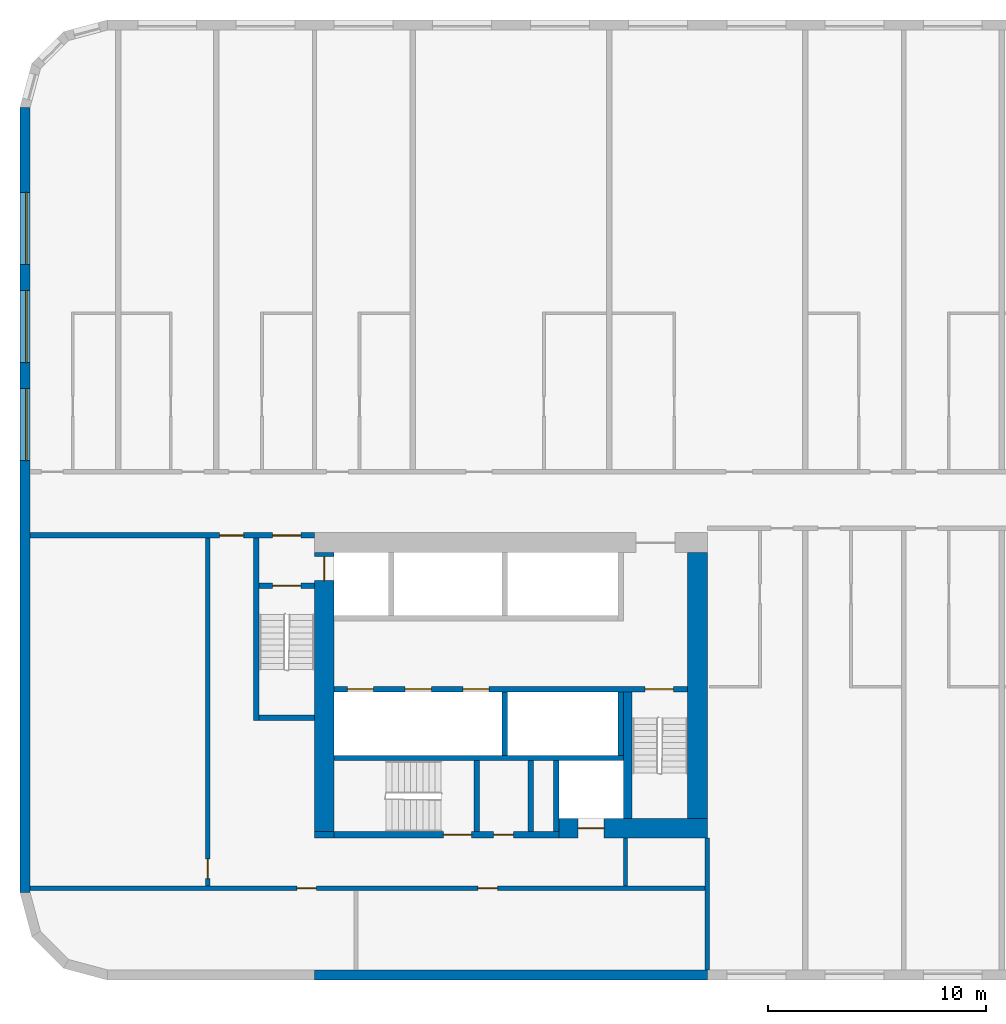
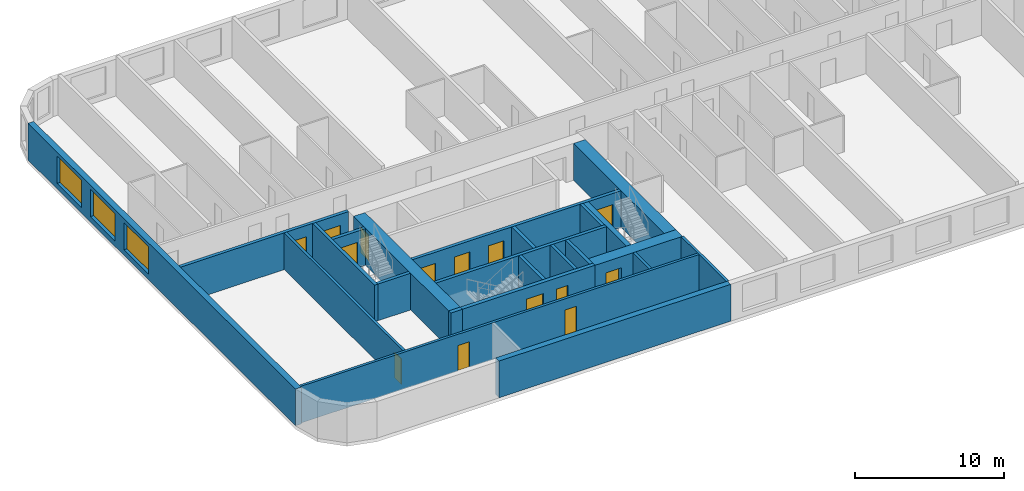
# One storey, part 2 of 12: 23 walls, 14 doors, 3 windows, 17 openings.
"""IFC4 building model written with IfcOpenShell, lengths in metres."""

import ifcopenshell
import ifcopenshell.guid

model = None  # the IFC model being written
_history = None  # IfcOwnerHistory: only IFC2X3 demands one
_inside = {}  # id of a spatial element -> (the spatial element, [elements in it])
_under = {}  # id of a project, library or spatial element -> (it, [spatial elements below it])
_declared = {}  # id of a project -> (the project, [libraries it declares])
_typed = {}  # id of a type object -> (the type object, [elements of that type])
_made_of = {}  # id of a material, layer set ... -> (it, [elements and type objects made of it])


def new_model(schema):
    """Start an empty IFC model of exactly this schema.

    Asked for "IFC4X3", IfcOpenShell would pick the latest addendum, in which some entities
    have other attributes; the version numbers below select the first issue.
    IFC2X3 requires an IfcOwnerHistory on every rooted entity: one is made here for all.
    """
    global model, _history
    if schema == "IFC4X3":
        model = ifcopenshell.file(schema_version=(4, 3, 0, 0))
    else:
        model = ifcopenshell.file(schema=schema)
    _inside.clear()
    _under.clear()
    _declared.clear()
    _typed.clear()
    _made_of.clear()
    _history = None
    if model.schema == "IFC2X3":
        org = make("IfcOrganization", Name="unknown")
        user = make(
            "IfcPersonAndOrganization",
            ThePerson=make("IfcPerson", FamilyName="unknown"),
            TheOrganization=org,
        )
        app = make(
            "IfcApplication",
            ApplicationDeveloper=org,
            Version="unknown",
            ApplicationFullName="unknown",
            ApplicationIdentifier="unknown",
        )
        _history = make(
            "IfcOwnerHistory",
            OwningUser=user,
            OwningApplication=app,
            ChangeAction="ADDED",
            CreationDate=0,
        )
    return model


def make(cls, **values):
    """One entity of the class cls with the attributes given. An attribute that is None is left unset."""
    return model.create_entity(
        cls, **{name: value for name, value in values.items() if value is not None}
    )


def rooted(cls, **values):
    """An entity with a GlobalId (a new one), such as an element, a storey or a relation."""
    return make(cls, GlobalId=ifcopenshell.guid.new(), OwnerHistory=_history, **values)


def si_unit(unit_type, name, prefix=None):
    """IfcSIUnit, for example si_unit("LENGTHUNIT", "METRE", prefix="MILLI")."""
    return make("IfcSIUnit", UnitType=unit_type, Prefix=prefix, Name=name)


def assignment(units):
    """IfcUnitAssignment: the units of a project."""
    return None if units is None else make("IfcUnitAssignment", Units=units)


def point(xyz):
    """IfcCartesianPoint."""
    return None if xyz is None else make("IfcCartesianPoint", Coordinates=xyz)


def direction(xyz):
    """IfcDirection."""
    return None if xyz is None else make("IfcDirection", DirectionRatios=xyz)


def frame(location, z_axis=None, x_axis=None):
    """IfcAxis2Placement3D, a coordinate frame: its origin and axes. An axis left out is left unset."""
    return make(
        "IfcAxis2Placement3D",
        Location=point(location),
        Axis=direction(z_axis),
        RefDirection=direction(x_axis),
    )


def frame_2d(location, x_axis=None):
    """IfcAxis2Placement2D, a coordinate frame in the plane: its origin and x axis."""
    return make(
        "IfcAxis2Placement2D", Location=point(location), RefDirection=direction(x_axis)
    )


def origin():
    """The frame at (0, 0, 0) with its axes left unset."""
    return frame((0.0, 0.0, 0.0))


def place(relative_to, where):
    """IfcLocalPlacement: puts the frame where relative to a parent placement (None: the world)."""
    return make(
        "IfcLocalPlacement", PlacementRelTo=relative_to, RelativePlacement=where
    )


def context(
    kind, dimensions, precision=None, world=None, true_north=None, identifier=None
):
    """IfcGeometricRepresentationContext, for example the 3D "Model" context."""
    return make(
        "IfcGeometricRepresentationContext",
        ContextIdentifier=identifier,
        ContextType=kind,
        CoordinateSpaceDimension=dimensions,
        Precision=precision,
        WorldCoordinateSystem=world,
        TrueNorth=true_north,
    )


def subcontext(parent, identifier, kind, view, scale=None):
    """IfcGeometricRepresentationSubContext, for example "Body" below "Model"."""
    return make(
        "IfcGeometricRepresentationSubContext",
        ContextIdentifier=identifier,
        ContextType=kind,
        ParentContext=parent,
        TargetScale=scale,
        TargetView=view,
    )


def project(units=None, contexts=None):
    """IfcProject with its units and contexts."""
    return rooted(
        "IfcProject",
        Name="project",
        RepresentationContexts=contexts,
        UnitsInContext=assignment(units),
    )


def spatial(cls, under=None, at=None, **own):
    """A site, building, storey or space (cls), placed at a placement, below another one or the project."""
    s = rooted(cls, ObjectPlacement=at, **own)
    if under is not None:
        _under.setdefault(under.id(), (under, []))[1].append(s)
    return s


def profile(cls, at=None, kind="AREA", **sizes):
    """A parametric profile (cls). Its sizes go by their IFC names, for example OverallWidth=200.0."""
    return make(cls, ProfileType=kind, Position=at, **sizes)


def rectangle(**sizes):
    """IfcRectangleProfileDef."""
    return profile("IfcRectangleProfileDef", **sizes)


def extrude(swept, where, along, depth):
    """IfcExtrudedAreaSolid: the profile swept, set in the frame where, extruded along a direction by depth."""
    return make(
        "IfcExtrudedAreaSolid",
        SweptArea=swept,
        Position=where,
        ExtrudedDirection=direction(along),
        Depth=depth,
    )


def shape(context_of_items, identifier, shape_type, items):
    """IfcShapeRepresentation: the items that make up one representation, for example the "Body"."""
    return make(
        "IfcShapeRepresentation",
        ContextOfItems=context_of_items,
        RepresentationIdentifier=identifier,
        RepresentationType=shape_type,
        Items=items,
    )


def material(Name=None, Category=None):
    """IfcMaterial."""
    return make("IfcMaterial", Name=Name, Category=Category)


def layer(
    of_material, thickness, ventilated=None, Name=None, Category=None, Priority=None
):
    """IfcMaterialLayer: one layer of a wall or slab, of a material (None: an air gap)."""
    return make(
        "IfcMaterialLayer",
        Material=of_material,
        LayerThickness=thickness,
        IsVentilated=ventilated,
        Name=Name,
        Category=Category,
        Priority=Priority,
    )


def layer_set(layers, Name=None):
    """IfcMaterialLayerSet."""
    return make("IfcMaterialLayerSet", MaterialLayers=layers, LayerSetName=Name)


def made_of(thing, what):
    """Note that an element or type object is made of a material, layer set ...; save() writes the relation."""
    if what is not None:
        _made_of.setdefault(what.id(), (what, []))[1].append(thing)
    return thing


def type_object(cls, material=None, **own):
    """A type object (cls), such as IfcWallType, which elements share."""
    return made_of(rooted(cls, **own), material)


def element(
    cls,
    number,
    at=None,
    inside=None,
    cuts=None,
    type_object=None,
    material=None,
    context=None,
    identifier="Body",
    shape_type=None,
    held_by="IfcProductDefinitionShape",
    body=None,
    shapes=None,
    **own,
):
    """One element of the class cls, such as IfcWall. Its Tag is "e" and its number.

    at: its placement. inside: the storey or other place that contains it. cuts: it is an
    opening in that element (IfcRelVoidsElement). A single representation is given by context,
    identifier, shape_type and body (its items); several are given by shapes. held_by: the class
    of the entity that holds the representations. save() writes the other relations.
    """
    e = rooted(cls, Tag="e%d" % number, ObjectPlacement=at, **own)
    if body is not None:
        shapes = [shape(context, identifier, shape_type, body)]
    if shapes is not None:
        e.Representation = make(held_by, Representations=shapes)
    if inside is not None:
        _inside.setdefault(inside.id(), (inside, []))[1].append(e)
    if cuts is not None:
        rooted(
            "IfcRelVoidsElement", RelatingBuildingElement=cuts, RelatedOpeningElement=e
        )
    if type_object is not None:
        _typed.setdefault(type_object.id(), (type_object, []))[1].append(e)
    return made_of(e, material)


def fill(opening, filler):
    """IfcRelFillsElement: the door or window that sits in an opening."""
    return rooted(
        "IfcRelFillsElement",
        RelatingOpeningElement=opening,
        RelatedBuildingElement=filler,
    )


def aggregate(whole, parts):
    """IfcRelAggregates: a whole, such as a stair, and the parts it consists of."""
    return rooted("IfcRelAggregates", RelatingObject=whole, RelatedObjects=parts)


def save(model, path):
    """Write the relations noted so far, then the file.

    IfcRelAggregates (storeys below a building ...), IfcRelContainedInSpatialStructure (elements
    in a storey), IfcRelDefinesByType, IfcRelAssociatesMaterial and IfcRelDeclares: one each for
    every whole, place, type object, material and project.
    """
    for whole, parts in _under.values():
        aggregate(whole, parts)
    for where, things in _inside.values():
        rooted(
            "IfcRelContainedInSpatialStructure",
            RelatedElements=things,
            RelatingStructure=where,
        )
    for kind, things in _typed.values():
        rooted("IfcRelDefinesByType", RelatedObjects=things, RelatingType=kind)
    for what, things in _made_of.values():
        rooted("IfcRelAssociatesMaterial", RelatedObjects=things, RelatingMaterial=what)
    for by, libraries in _declared.values():
        rooted("IfcRelDeclares", RelatingContext=by, RelatedDefinitions=libraries)
    model.write(path)


model = new_model("IFC4")

# Units and contexts
model_context = context("Model", 3, precision=1e-05, world=origin(), true_north=direction((0.0, 1.0)))
body_context = subcontext(model_context, "Body", "Model", "MODEL_VIEW")
ifc_project = project(units=[si_unit("LENGTHUNIT", "METRE"), si_unit("AREAUNIT", "SQUARE_METRE"), si_unit("VOLUMEUNIT", "CUBIC_METRE"), si_unit("PLANEANGLEUNIT", "RADIAN"), si_unit("MASSUNIT", "GRAM", prefix="KILO")], contexts=[model_context])

# Site, building, storey
site_placement = place(None, origin())
site = spatial("IfcSite", under=ifc_project, at=site_placement, CompositionType="ELEMENT")
building_placement = place(site_placement, origin())
building = spatial("IfcBuilding", under=site, at=building_placement, Name="Kajstack Hotel Tower", CompositionType="ELEMENT")
storey_placement = place(building_placement, frame((0.0, 0.0, 76.5)))
storey = spatial("IfcBuildingStorey", under=building, at=storey_placement, Name="L14", CompositionType="ELEMENT", Elevation=76.5)

# Wall, opening, door
ifc_material_1 = material(Name="Concrete C60/75", Category="concrete")
ifc_layer_1 = layer(ifc_material_1, 0.89990234375)
ifc_layer_set_1 = layer_set([ifc_layer_1], Name="Core wall 900")
wall_type_1 = type_object("IfcWallType", Name="Core wall 900", PredefinedType="SHEAR", material=ifc_layer_set_1)
wall_1_placement = place(storey_placement, frame((-20.300048828125, -15.050048828125, 0.0), z_axis=(0.0, 0.0, 1.0), x_axis=(1.0, 0.0, 0.0)))
wall_1 = element("IfcWall", 1, at=wall_1_placement, inside=storey, type_object=wall_type_1, Name="Core wall W RS", PredefinedType="SHEAR", context=body_context, shape_type="SweptSolid", body=[
    extrude(rectangle(XDim=6.800048828125, YDim=0.89990234375, at=frame_2d((3.39990234375, 0.0))), origin(), (0.0, 0.0, 1.0), 3.02001953125),
])
opening_1_placement = place(wall_1_placement, frame((0.875, 0.0, 0.0)))
opening_1 = element("IfcOpeningElement", 2, at=opening_1_placement, cuts=wall_1, Name="Opening LD-SV1", PredefinedType="OPENING", context=body_context, shape_type="SweptSolid", body=[
    extrude(rectangle(XDim=1.199951171875, YDim=2.10009765625, at=frame_2d((0.60009765625, 1.050048828125))), frame((0.0, 0.4599609375, 0.0), z_axis=(0.0, -1.0, 0.0), x_axis=(1.0, 0.0, 0.0)), (0.0, 0.0, 1.0), 0.919921875),
])
ifc_material_2 = material(Name="Stainless steel", Category="steel")
door_type_1 = type_object("IfcDoorType", Name="Lift landing door 1200", OperationType="SLIDING_TO_LEFT", PredefinedType="DOOR", material=ifc_material_2)
door_1_placement = place(opening_1_placement, origin())
door_1 = element("IfcDoor", 3, at=door_1_placement, inside=storey, type_object=door_type_1, Name="Landing door SV1", OperationType="SLIDING_TO_LEFT", OverallHeight=2.10009765625, OverallWidth=1.199951171875, PredefinedType="DOOR", context=body_context, shape_type="SweptSolid", body=[
    extrude(rectangle(XDim=1.199951171875, YDim=2.10009765625, at=frame_2d((0.60009765625, 1.050048828125))), frame((0.0, 0.02490234375, 0.0), z_axis=(0.0, -1.0, 0.0), x_axis=(1.0, 0.0, 0.0)), (0.0, 0.0, 1.0), 0.050048828125),
])
fill(opening_1, door_1)

# Wall
wall_2_placement = place(storey_placement, frame((-31.5, -15.35009765625, 0.0), z_axis=(0.0, 0.0, 1.0), x_axis=(1.0, 0.0, 0.0)))
element("IfcWall", 4, at=wall_2_placement, inside=storey, type_object=wall_type_1, Name="Core wall W RSW", PredefinedType="SHEAR", context=body_context, shape_type="SweptSolid", body=[
    extrude(rectangle(XDim=0.89990234375, YDim=0.300048828125, at=frame_2d((0.449951171875, 0.0))), origin(), (0.0, 0.0, 1.0), 3.02001953125),
])

# Wall, opening, door
wall_3_placement = place(storey_placement, frame((-31.050048828125, -15.199951171875, 0.0), z_axis=(0.0, 0.0, 1.0), x_axis=(0.0, 1.0, 0.0)))
wall_3 = element("IfcWall", 5, at=wall_3_placement, inside=storey, type_object=wall_type_1, Name="Core wall W RW", PredefinedType="SHEAR", context=body_context, shape_type="SweptSolid", body=[
    extrude(rectangle(XDim=12.800048828125, YDim=0.89990234375, at=frame_2d((6.39990234375, 0.0))), origin(), (0.0, 0.0, 1.0), 3.02001953125),
])
opening_2_placement = place(wall_3_placement, frame((11.5, 0.0, 0.0)))
opening_2 = element("IfcOpeningElement", 6, at=opening_2_placement, cuts=wall_3, Name="Opening LD-FF1", PredefinedType="OPENING", context=body_context, shape_type="SweptSolid", body=[
    extrude(rectangle(XDim=1.10009765625, YDim=2.10009765625, at=frame_2d((0.550048828125, 1.050048828125))), frame((0.0, 0.4599609375, 0.0), z_axis=(0.0, -1.0, 0.0), x_axis=(1.0, 0.0, 0.0)), (0.0, 0.0, 1.0), 0.919921875),
])
door_type_2 = type_object("IfcDoorType", Name="Fire-fighting lift landing door 1100", OperationType="SLIDING_TO_LEFT", PredefinedType="DOOR", material=ifc_material_2)
door_2_placement = place(opening_2_placement, origin())
door_2 = element("IfcDoor", 7, at=door_2_placement, inside=storey, type_object=door_type_2, Name="Landing door FF1", OperationType="SLIDING_TO_RIGHT", OverallHeight=2.10009765625, OverallWidth=1.10009765625, PredefinedType="DOOR", context=body_context, shape_type="SweptSolid", body=[
    extrude(rectangle(XDim=1.10009765625, YDim=2.10009765625, at=frame_2d((0.550048828125, 1.050048828125))), frame((0.0, 0.02490234375, 0.0), z_axis=(0.0, -1.0, 0.0), x_axis=(1.0, 0.0, 0.0)), (0.0, 0.0, 1.0), 0.050048828125),
])
fill(opening_2, door_2)

# Walls
wall_4_placement = place(storey_placement, frame((-13.949951171875, -14.60009765625, 0.0), z_axis=(0.0, 0.0, 1.0), x_axis=(0.0, 1.0, 0.0)))
element("IfcWall", 8, at=wall_4_placement, inside=storey, type_object=wall_type_1, Name="Core wall W RE", PredefinedType="SHEAR", context=body_context, shape_type="SweptSolid", body=[
    extrude(rectangle(XDim=12.2001953125, YDim=0.89990234375, at=frame_2d((6.10009765625, 0.0))), origin(), (0.0, 0.0, 1.0), 3.02001953125),
])
ifc_material_3 = material(Name="Twin-frame gypsum board on steel studs, mineral wool", Category="steel")
ifc_layer_2 = layer(ifc_material_3, 0.199951171875)
ifc_layer_set_2 = layer_set([ifc_layer_2], Name="Demising wall 200")
wall_type_2 = type_object("IfcWallType", Name="Demising wall 200", PredefinedType="PARTITIONING", material=ifc_layer_set_2)
wall_5_placement = place(storey_placement, frame((-13.5, -21.550048828125, 0.0), z_axis=(0.0, 0.0, 1.0), x_axis=(0.0, 1.0, 0.0)))
element("IfcWall", 9, at=wall_5_placement, inside=storey, type_object=wall_type_2, Name="G-wall-L14-002", PredefinedType="PARTITIONING", context=body_context, shape_type="SweptSolid", body=[
    extrude(rectangle(XDim=6.050048828125, YDim=0.199951171875, at=frame_2d((3.02490234375, 0.0))), origin(), (0.0, 0.0, 1.0), 3.02001953125),
])
ifc_material_4 = material(Name="Concrete C40/50", Category="concrete")
ifc_layer_3 = layer(ifc_material_4, 0.449951171875)
ifc_layer_set_3 = layer_set([ifc_layer_3], Name="EW-CORE")
wall_type_3 = type_object("IfcWallType", Name="EW-CORE", PredefinedType="SOLIDWALL", material=ifc_layer_set_3)
wall_6_placement = place(storey_placement, frame((-31.5, -21.77490234375, 0.0), z_axis=(0.0, 0.0, 1.0), x_axis=(1.0, 0.0, 0.0)))
element("IfcWall", 10, at=wall_6_placement, inside=storey, type_object=wall_type_3, Name="E-wall-L14-03-01", PredefinedType="SOLIDWALL", context=body_context, shape_type="SweptSolid", body=[
    extrude(rectangle(XDim=18.0, YDim=0.449951171875, at=frame_2d((9.0, 0.0))), origin(), (0.0, 0.0, 1.0), 3.02001953125),
])

# Wall, openings, windows
ifc_material_5 = material(Name="Terracotta-faced brick masonry", Category="masonry")
ifc_layer_4 = layer(ifc_material_5, 0.449951171875)
ifc_layer_set_4 = layer_set([ifc_layer_4], Name="EW-TERRA")
wall_type_4 = type_object("IfcWallType", Name="EW-TERRA", PredefinedType="SOLIDWALL", material=ifc_layer_set_4)
wall_7_placement = place(storey_placement, frame((-44.77490234375, 18.0, 0.0), z_axis=(0.0, 0.0, 1.0), x_axis=(0.0, -1.0, 0.0)))
wall_7 = element("IfcWall", 11, at=wall_7_placement, inside=storey, type_object=wall_type_4, Name="E-wall-L14-15-00", PredefinedType="SOLIDWALL", context=body_context, shape_type="SweptSolid", body=[
    extrude(rectangle(XDim=36.0, YDim=0.449951171875, at=frame_2d((18.0, 0.0))), origin(), (0.0, 0.0, 1.0), 3.02001953125),
])
opening_3_placement = place(wall_7_placement, frame((3.89990234375, 0.0, 0.449951171875)))
opening_3 = element("IfcOpeningElement", 12, at=opening_3_placement, cuts=wall_7, Name="Opening W2", PredefinedType="OPENING", context=body_context, shape_type="SweptSolid", body=[
    extrude(rectangle(XDim=3.300048828125, YDim=2.25, at=frame_2d((1.64990234375, 1.125))), frame((0.0, 0.23486328125, 0.0), z_axis=(0.0, -1.0, 0.0), x_axis=(1.0, 0.0, 0.0)), (0.0, 0.0, 1.0), 0.469970703125),
])
opening_4_placement = place(wall_7_placement, frame((8.39990234375, 0.0, 0.449951171875)))
opening_4 = element("IfcOpeningElement", 13, at=opening_4_placement, cuts=wall_7, Name="Opening W2", PredefinedType="OPENING", context=body_context, shape_type="SweptSolid", body=[
    extrude(rectangle(XDim=3.300048828125, YDim=2.25, at=frame_2d((1.64990234375, 1.125))), frame((0.0, 0.23486328125, 0.0), z_axis=(0.0, -1.0, 0.0), x_axis=(1.0, 0.0, 0.0)), (0.0, 0.0, 1.0), 0.469970703125),
])
opening_5_placement = place(wall_7_placement, frame((12.89990234375, 0.0, 0.449951171875)))
opening_5 = element("IfcOpeningElement", 14, at=opening_5_placement, cuts=wall_7, Name="Opening W2", PredefinedType="OPENING", context=body_context, shape_type="SweptSolid", body=[
    extrude(rectangle(XDim=3.300048828125, YDim=2.25, at=frame_2d((1.64990234375, 1.125))), frame((0.0, 0.23486328125, 0.0), z_axis=(0.0, -1.0, 0.0), x_axis=(1.0, 0.0, 0.0)), (0.0, 0.0, 1.0), 0.469970703125),
])
ifc_material_6 = material(Name="Timber-aluminium window, triple glazed", Category="wood")
window_type = type_object("IfcWindowType", Name="WG2", PartitioningType="SINGLE_PANEL", PredefinedType="WINDOW", material=ifc_material_6)
window_1_placement = place(opening_3_placement, origin())
window_1 = element("IfcWindow", 15, at=window_1_placement, inside=storey, type_object=window_type, Name="Window W2 L14-15", OverallHeight=2.25, OverallWidth=3.300048828125, PartitioningType="SINGLE_PANEL", PredefinedType="WINDOW", context=body_context, shape_type="SweptSolid", body=[
    extrude(rectangle(XDim=3.300048828125, YDim=2.25, at=frame_2d((1.64990234375, 1.125))), frame((0.0, 0.090087890625, 0.0), z_axis=(0.0, -1.0, 0.0), x_axis=(1.0, 0.0, 0.0)), (0.0, 0.0, 1.0), 0.06005859375),
])
fill(opening_3, window_1)
window_2_placement = place(opening_4_placement, origin())
window_2 = element("IfcWindow", 16, at=window_2_placement, inside=storey, type_object=window_type, Name="Window W2 L14-15", OverallHeight=2.25, OverallWidth=3.300048828125, PartitioningType="SINGLE_PANEL", PredefinedType="WINDOW", context=body_context, shape_type="SweptSolid", body=[
    extrude(rectangle(XDim=3.300048828125, YDim=2.25, at=frame_2d((1.64990234375, 1.125))), frame((0.0, 0.090087890625, 0.0), z_axis=(0.0, -1.0, 0.0), x_axis=(1.0, 0.0, 0.0)), (0.0, 0.0, 1.0), 0.06005859375),
])
fill(opening_4, window_2)
window_3_placement = place(opening_5_placement, origin())
window_3 = element("IfcWindow", 17, at=window_3_placement, inside=storey, type_object=window_type, Name="Window W2 L14-15", OverallHeight=2.25, OverallWidth=3.300048828125, PartitioningType="SINGLE_PANEL", PredefinedType="WINDOW", context=body_context, shape_type="SweptSolid", body=[
    extrude(rectangle(XDim=3.300048828125, YDim=2.25, at=frame_2d((1.64990234375, 1.125))), frame((0.0, 0.090087890625, 0.0), z_axis=(0.0, -1.0, 0.0), x_axis=(1.0, 0.0, 0.0)), (0.0, 0.0, 1.0), 0.06005859375),
])
fill(opening_5, window_3)

# Walls
ifc_material_7 = material(Name="Concrete C50/60", Category="concrete")
ifc_layer_5 = layer(ifc_material_7, 0.300048828125)
ifc_layer_set_5 = layer_set([ifc_layer_5], Name="Hoistway divider wall 300")
wall_type_5 = type_object("IfcWallType", Name="Hoistway divider wall 300", PredefinedType="SHEAR", material=ifc_layer_set_5)
wall_8_placement = place(storey_placement, frame((-22.77490234375, -11.699951171875, 0.0), z_axis=(0.0, 0.0, 1.0), x_axis=(0.0, 1.0, 0.0)))
element("IfcWall", 18, at=wall_8_placement, inside=storey, type_object=wall_type_5, Name="Core wall W BP2", PredefinedType="SHEAR", context=body_context, shape_type="SweptSolid", body=[
    extrude(rectangle(XDim=2.89990234375, YDim=0.25, at=frame_2d((1.449951171875, 0.0))), origin(), (0.0, 0.0, 1.0), 3.02001953125),
])
ifc_material_8 = material(Name="Concrete block masonry", Category="masonry")
ifc_layer_6 = layer(ifc_material_8, 0.25)
ifc_layer_set_6 = layer_set([ifc_layer_6], Name="Riser partition 250")
wall_type_6 = type_object("IfcWallType", Name="Riser partition 250", PredefinedType="PARTITIONING", material=ifc_layer_set_6)
wall_9_placement = place(storey_placement, frame((-21.60009765625, -15.199951171875, 0.0), z_axis=(0.0, 0.0, 1.0), x_axis=(0.0, 1.0, 0.0)))
element("IfcWall", 19, at=wall_9_placement, inside=storey, type_object=wall_type_6, Name="Partition W SZ0", PredefinedType="PARTITIONING", context=body_context, shape_type="SweptSolid", body=[
    extrude(rectangle(XDim=3.25, YDim=0.25, at=frame_2d((1.625, 0.0))), origin(), (0.0, 0.0, 1.0), 3.02001953125),
])

# Wall, openings, doors
ifc_material_9 = material(Name="Gypsum board on steel studs, mineral wool", Category="steel")
ifc_layer_7 = layer(ifc_material_9, 0.199951171875)
ifc_layer_set_7 = layer_set([ifc_layer_7], Name="Service partition 200")
wall_type_7 = type_object("IfcWallType", Name="Service partition 200", PredefinedType="PARTITIONING", material=ifc_layer_set_7)
wall_10_placement = place(storey_placement, frame((-44.550048828125, -1.625, 0.0), z_axis=(0.0, 0.0, 1.0), x_axis=(1.0, 0.0, 0.0)))
wall_10 = element("IfcWall", 20, at=wall_10_placement, inside=storey, type_object=wall_type_7, Name="Partition W SN", PredefinedType="PARTITIONING", context=body_context, shape_type="SweptSolid", body=[
    extrude(rectangle(XDim=13.050048828125, YDim=0.25, at=frame_2d((6.52490234375, 0.0))), origin(), (0.0, 0.0, 1.0), 3.02001953125),
])
opening_6_placement = place(wall_10_placement, frame((11.125, 0.0, 0.0)))
opening_6 = element("IfcOpeningElement", 21, at=opening_6_placement, cuts=wall_10, Name="Opening 14W07", PredefinedType="OPENING", context=body_context, shape_type="SweptSolid", body=[
    extrude(rectangle(XDim=1.300048828125, YDim=2.10009765625, at=frame_2d((0.64990234375, 1.050048828125))), frame((0.0, 0.135009765625, 0.0), z_axis=(0.0, -1.0, 0.0), x_axis=(1.0, 0.0, 0.0)), (0.0, 0.0, 1.0), 0.27001953125),
])
opening_7_placement = place(wall_10_placement, frame((8.699951171875, 0.0, 0.0)))
opening_7 = element("IfcOpeningElement", 22, at=opening_7_placement, cuts=wall_10, Name="Opening 14W09", PredefinedType="OPENING", context=body_context, shape_type="SweptSolid", body=[
    extrude(rectangle(XDim=1.10009765625, YDim=2.10009765625, at=frame_2d((0.550048828125, 1.050048828125))), frame((0.0, 0.135009765625, 0.0), z_axis=(0.0, -1.0, 0.0), x_axis=(1.0, 0.0, 0.0)), (0.0, 0.0, 1.0), 0.27001953125),
])
ifc_material_10 = material(Name="Steel leaf, fire-rated", Category="steel")
door_type_3 = type_object("IfcDoorType", Name="Fire lobby door 1300", OperationType="SINGLE_SWING_LEFT", PredefinedType="DOOR", material=ifc_material_10)
door_3_placement = place(opening_6_placement, origin())
door_3 = element("IfcDoor", 23, at=door_3_placement, inside=storey, type_object=door_type_3, Name="Door 14W07", OperationType="SINGLE_SWING_RIGHT", OverallHeight=2.10009765625, OverallWidth=1.300048828125, PredefinedType="DOOR", context=body_context, shape_type="SweptSolid", body=[
    extrude(rectangle(XDim=1.300048828125, YDim=2.10009765625, at=frame_2d((0.64990234375, 1.050048828125))), frame((0.0, 0.02490234375, 0.0), z_axis=(0.0, -1.0, 0.0), x_axis=(1.0, 0.0, 0.0)), (0.0, 0.0, 1.0), 0.050048828125),
])
fill(opening_6, door_3)
ifc_material_11 = material(Name="Timber leaf, fire-rated", Category="wood")
door_type_4 = type_object("IfcDoorType", Name="Service corridor door 1100", OperationType="SINGLE_SWING_LEFT", PredefinedType="DOOR", material=ifc_material_11)
door_4_placement = place(opening_7_placement, origin())
door_4 = element("IfcDoor", 24, at=door_4_placement, inside=storey, type_object=door_type_4, Name="Door 14W09", OperationType="SINGLE_SWING_RIGHT", OverallHeight=2.10009765625, OverallWidth=1.10009765625, PredefinedType="DOOR", context=body_context, shape_type="SweptSolid", body=[
    extrude(rectangle(XDim=1.10009765625, YDim=2.10009765625, at=frame_2d((0.550048828125, 1.050048828125))), frame((0.0, 0.02490234375, 0.0), z_axis=(0.0, -1.0, 0.0), x_axis=(1.0, 0.0, 0.0)), (0.0, 0.0, 1.0), 0.050048828125),
])
fill(opening_7, door_4)

# Wall
wall_11_placement = place(storey_placement, frame((-17.25, -17.699951171875, 0.0), z_axis=(0.0, 0.0, 1.0), x_axis=(0.0, 1.0, 0.0)))
element("IfcWall", 25, at=wall_11_placement, inside=storey, type_object=wall_type_7, Name="Partition W SCE", PredefinedType="PARTITIONING", context=body_context, shape_type="SweptSolid", body=[
    extrude(rectangle(XDim=2.199951171875, YDim=0.199951171875, at=frame_2d((1.10009765625, 0.0))), origin(), (0.0, 0.0, 1.0), 3.02001953125),
])

# Wall, opening, door
wall_12_placement = place(storey_placement, frame((-36.39990234375, -17.699951171875, 0.0), z_axis=(0.0, 0.0, 1.0), x_axis=(0.0, 1.0, 0.0)))
wall_12 = element("IfcWall", 26, at=wall_12_placement, inside=storey, type_object=wall_type_7, Name="Partition W WRE", PredefinedType="PARTITIONING", context=body_context, shape_type="SweptSolid", body=[
    extrude(rectangle(XDim=15.949951171875, YDim=0.199951171875, at=frame_2d((7.97509765625, 0.0))), origin(), (0.0, 0.0, 1.0), 3.02001953125),
])
opening_8_placement = place(wall_12_placement, frame((0.35009765625, 0.0, 0.0)))
opening_8 = element("IfcOpeningElement", 27, at=opening_8_placement, cuts=wall_12, Name="Opening 14W15", PredefinedType="OPENING", context=body_context, shape_type="SweptSolid", body=[
    extrude(rectangle(XDim=0.89990234375, YDim=2.10009765625, at=frame_2d((0.449951171875, 1.050048828125))), frame((0.0, 0.10986328125, 0.0), z_axis=(0.0, -1.0, 0.0), x_axis=(1.0, 0.0, 0.0)), (0.0, 0.0, 1.0), 0.219970703125),
])
door_type_5 = type_object("IfcDoorType", Name="Service door 900", OperationType="SINGLE_SWING_LEFT", PredefinedType="DOOR", material=ifc_material_11)
door_5_placement = place(opening_8_placement, origin())
door_5 = element("IfcDoor", 28, at=door_5_placement, inside=storey, type_object=door_type_5, Name="Door 14W15", OperationType="SINGLE_SWING_LEFT", OverallHeight=2.10009765625, OverallWidth=0.89990234375, PredefinedType="DOOR", context=body_context, shape_type="SweptSolid", body=[
    extrude(rectangle(XDim=0.89990234375, YDim=2.10009765625, at=frame_2d((0.449951171875, 1.050048828125))), frame((0.0, 0.02490234375, 0.0), z_axis=(0.0, -1.0, 0.0), x_axis=(1.0, 0.0, 0.0)), (0.0, 0.0, 1.0), 0.050048828125),
])
fill(opening_8, door_5)

# Wall, openings, doors
wall_13_placement = place(storey_placement, frame((-44.550048828125, -17.800048828125, 0.0), z_axis=(0.0, 0.0, 1.0), x_axis=(1.0, 0.0, 0.0)))
wall_13 = element("IfcWall", 29, at=wall_13_placement, inside=storey, type_object=wall_type_7, Name="Partition W SLN", PredefinedType="PARTITIONING", context=body_context, shape_type="SweptSolid", body=[
    extrude(rectangle(XDim=30.949951171875, YDim=0.199951171875, at=frame_2d((15.47509765625, 0.0))), origin(), (0.0, 0.0, 1.0), 3.02001953125),
])
opening_9_placement = place(wall_13_placement, frame((12.237548828125, 0.0, 0.0)))
opening_9 = element("IfcOpeningElement", 30, at=opening_9_placement, cuts=wall_13, Name="Opening 14W13", PredefinedType="OPENING", context=body_context, shape_type="SweptSolid", body=[
    extrude(rectangle(XDim=0.89990234375, YDim=2.10009765625, at=frame_2d((0.449951171875, 1.050048828125))), frame((0.0, 0.10986328125, 0.0), z_axis=(0.0, -1.0, 0.0), x_axis=(1.0, 0.0, 0.0)), (0.0, 0.0, 1.0), 0.219970703125),
])
opening_10_placement = place(wall_13_placement, frame((20.53759765625, 0.0, 0.0)))
opening_10 = element("IfcOpeningElement", 31, at=opening_10_placement, cuts=wall_13, Name="Opening 14W14", PredefinedType="OPENING", context=body_context, shape_type="SweptSolid", body=[
    extrude(rectangle(XDim=0.89990234375, YDim=2.10009765625, at=frame_2d((0.449951171875, 1.050048828125))), frame((0.0, 0.10986328125, 0.0), z_axis=(0.0, -1.0, 0.0), x_axis=(1.0, 0.0, 0.0)), (0.0, 0.0, 1.0), 0.219970703125),
])
door_6_placement = place(opening_9_placement, origin())
door_6 = element("IfcDoor", 32, at=door_6_placement, inside=storey, type_object=door_type_5, Name="Door 14W13", OperationType="SINGLE_SWING_RIGHT", OverallHeight=2.10009765625, OverallWidth=0.89990234375, PredefinedType="DOOR", context=body_context, shape_type="SweptSolid", body=[
    extrude(rectangle(XDim=0.89990234375, YDim=2.10009765625, at=frame_2d((0.449951171875, 1.050048828125))), frame((0.0, 0.02490234375, 0.0), z_axis=(0.0, -1.0, 0.0), x_axis=(1.0, 0.0, 0.0)), (0.0, 0.0, 1.0), 0.050048828125),
])
fill(opening_9, door_6)
door_7_placement = place(opening_10_placement, origin())
door_7 = element("IfcDoor", 33, at=door_7_placement, inside=storey, type_object=door_type_5, Name="Door 14W14", OperationType="SINGLE_SWING_RIGHT", OverallHeight=2.10009765625, OverallWidth=0.89990234375, PredefinedType="DOOR", context=body_context, shape_type="SweptSolid", body=[
    extrude(rectangle(XDim=0.89990234375, YDim=2.10009765625, at=frame_2d((0.449951171875, 1.050048828125))), frame((0.0, 0.02490234375, 0.0), z_axis=(0.0, -1.0, 0.0), x_axis=(1.0, 0.0, 0.0)), (0.0, 0.0, 1.0), 0.050048828125),
])
fill(opening_10, door_7)

ifc_layer_8 = layer(ifc_material_7, 0.25)
ifc_layer_set_8 = layer_set([ifc_layer_8], Name="Shaft wall 250")
wall_type_8 = type_object("IfcWallType", Name="Shaft wall 250", PredefinedType="SHEAR", material=ifc_layer_set_8)
wall_14_placement = place(storey_placement, frame((-30.60009765625, -15.35009765625, 0.0), z_axis=(0.0, 0.0, 1.0), x_axis=(1.0, 0.0, 0.0)))
wall_14 = element("IfcWall", 34, at=wall_14_placement, inside=storey, type_object=wall_type_8, Name="Core wall W RSS", PredefinedType="SHEAR", context=body_context, shape_type="SweptSolid", body=[
    extrude(rectangle(XDim=10.300048828125, YDim=0.300048828125, at=frame_2d((5.14990234375, 0.0))), origin(), (0.0, 0.0, 1.0), 3.02001953125),
])
opening_11_placement = place(wall_14_placement, frame((5.0, 0.0, 0.0)))
opening_11 = element("IfcOpeningElement", 35, at=opening_11_placement, cuts=wall_14, Name="Opening 14W11", PredefinedType="OPENING", context=body_context, shape_type="SweptSolid", body=[
    extrude(rectangle(XDim=1.300048828125, YDim=2.10009765625, at=frame_2d((0.64990234375, 1.050048828125))), frame((0.0, 0.159912109375, 0.0), z_axis=(0.0, -1.0, 0.0), x_axis=(1.0, 0.0, 0.0)), (0.0, 0.0, 1.0), 0.320068359375),
])
opening_12_placement = place(wall_14_placement, frame((7.3125, 0.0, 0.0)))
opening_12 = element("IfcOpeningElement", 36, at=opening_12_placement, cuts=wall_14, Name="Opening 14W12", PredefinedType="OPENING", context=body_context, shape_type="SweptSolid", body=[
    extrude(rectangle(XDim=0.89990234375, YDim=2.10009765625, at=frame_2d((0.449951171875, 1.050048828125))), frame((0.0, 0.159912109375, 0.0), z_axis=(0.0, -1.0, 0.0), x_axis=(1.0, 0.0, 0.0)), (0.0, 0.0, 1.0), 0.320068359375),
])
door_8_placement = place(opening_12_placement, origin())
door_8 = element("IfcDoor", 37, at=door_8_placement, inside=storey, type_object=door_type_5, Name="Door 14W12", OperationType="SINGLE_SWING_LEFT", OverallHeight=2.10009765625, OverallWidth=0.89990234375, PredefinedType="DOOR", context=body_context, shape_type="SweptSolid", body=[
    extrude(rectangle(XDim=0.89990234375, YDim=2.10009765625, at=frame_2d((0.449951171875, 1.050048828125))), frame((0.0, 0.02490234375, 0.0), z_axis=(0.0, -1.0, 0.0), x_axis=(1.0, 0.0, 0.0)), (0.0, 0.0, 1.0), 0.050048828125),
])
fill(opening_12, door_8)
door_type_6 = type_object("IfcDoorType", Name="Stair door 1300", OperationType="SINGLE_SWING_LEFT", PredefinedType="DOOR", material=ifc_material_10)
door_9_placement = place(opening_11_placement, origin())
door_9 = element("IfcDoor", 38, at=door_9_placement, inside=storey, type_object=door_type_6, Name="Door 14W11", OperationType="SINGLE_SWING_RIGHT", OverallHeight=2.10009765625, OverallWidth=1.300048828125, PredefinedType="DOOR", context=body_context, shape_type="SweptSolid", body=[
    extrude(rectangle(XDim=1.300048828125, YDim=2.10009765625, at=frame_2d((0.64990234375, 1.050048828125))), frame((0.0, 0.02490234375, 0.0), z_axis=(0.0, -1.0, 0.0), x_axis=(1.0, 0.0, 0.0)), (0.0, 0.0, 1.0), 0.050048828125),
])
fill(opening_11, door_9)

wall_15_placement = place(storey_placement, frame((-30.60009765625, -8.675048828125, 0.0), z_axis=(0.0, 0.0, 1.0), x_axis=(1.0, 0.0, 0.0)))
wall_15 = element("IfcWall", 39, at=wall_15_placement, inside=storey, type_object=wall_type_8, Name="Core wall W FB", PredefinedType="SHEAR", context=body_context, shape_type="SweptSolid", body=[
    extrude(rectangle(XDim=16.2001953125, YDim=0.25, at=frame_2d((8.10009765625, 0.0))), origin(), (0.0, 0.0, 1.0), 3.02001953125),
])
opening_13_placement = place(wall_15_placement, frame((0.60009765625, 0.0, 0.0)))
opening_13 = element("IfcOpeningElement", 40, at=opening_13_placement, cuts=wall_15, Name="Opening LD-LR1", PredefinedType="OPENING", context=body_context, shape_type="SweptSolid", body=[
    extrude(rectangle(XDim=1.199951171875, YDim=2.10009765625, at=frame_2d((0.60009765625, 1.050048828125))), frame((0.0, 0.135009765625, 0.0), z_axis=(0.0, -1.0, 0.0), x_axis=(1.0, 0.0, 0.0)), (0.0, 0.0, 1.0), 0.27001953125),
])
opening_14_placement = place(wall_15_placement, frame((3.25, 0.0, 0.0)))
opening_14 = element("IfcOpeningElement", 41, at=opening_14_placement, cuts=wall_15, Name="Opening LD-LR2", PredefinedType="OPENING", context=body_context, shape_type="SweptSolid", body=[
    extrude(rectangle(XDim=1.199951171875, YDim=2.10009765625, at=frame_2d((0.60009765625, 1.050048828125))), frame((0.0, 0.135009765625, 0.0), z_axis=(0.0, -1.0, 0.0), x_axis=(1.0, 0.0, 0.0)), (0.0, 0.0, 1.0), 0.27001953125),
])
opening_15_placement = place(wall_15_placement, frame((5.89990234375, 0.0, 0.0)))
opening_15 = element("IfcOpeningElement", 42, at=opening_15_placement, cuts=wall_15, Name="Opening LD-LR3", PredefinedType="OPENING", context=body_context, shape_type="SweptSolid", body=[
    extrude(rectangle(XDim=1.199951171875, YDim=2.10009765625, at=frame_2d((0.60009765625, 1.050048828125))), frame((0.0, 0.135009765625, 0.0), z_axis=(0.0, -1.0, 0.0), x_axis=(1.0, 0.0, 0.0)), (0.0, 0.0, 1.0), 0.27001953125),
])
opening_16_placement = place(wall_15_placement, frame((14.25, 0.0, 0.0)))
opening_16 = element("IfcOpeningElement", 43, at=opening_16_placement, cuts=wall_15, Name="Opening 14W10", PredefinedType="OPENING", context=body_context, shape_type="SweptSolid", body=[
    extrude(rectangle(XDim=1.300048828125, YDim=2.10009765625, at=frame_2d((0.64990234375, 1.050048828125))), frame((0.0, 0.135009765625, 0.0), z_axis=(0.0, -1.0, 0.0), x_axis=(1.0, 0.0, 0.0)), (0.0, 0.0, 1.0), 0.27001953125),
])
door_10_placement = place(opening_13_placement, origin())
door_10 = element("IfcDoor", 44, at=door_10_placement, inside=storey, type_object=door_type_1, Name="Landing door LR1", OperationType="SLIDING_TO_LEFT", OverallHeight=2.10009765625, OverallWidth=1.199951171875, PredefinedType="DOOR", context=body_context, shape_type="SweptSolid", body=[
    extrude(rectangle(XDim=1.199951171875, YDim=2.10009765625, at=frame_2d((0.60009765625, 1.050048828125))), frame((0.0, 0.02490234375, 0.0), z_axis=(0.0, -1.0, 0.0), x_axis=(1.0, 0.0, 0.0)), (0.0, 0.0, 1.0), 0.050048828125),
])
fill(opening_13, door_10)
door_11_placement = place(opening_14_placement, origin())
door_11 = element("IfcDoor", 45, at=door_11_placement, inside=storey, type_object=door_type_1, Name="Landing door LR2", OperationType="SLIDING_TO_RIGHT", OverallHeight=2.10009765625, OverallWidth=1.199951171875, PredefinedType="DOOR", context=body_context, shape_type="SweptSolid", body=[
    extrude(rectangle(XDim=1.199951171875, YDim=2.10009765625, at=frame_2d((0.60009765625, 1.050048828125))), frame((0.0, 0.02490234375, 0.0), z_axis=(0.0, -1.0, 0.0), x_axis=(1.0, 0.0, 0.0)), (0.0, 0.0, 1.0), 0.050048828125),
])
fill(opening_14, door_11)
door_12_placement = place(opening_15_placement, origin())
door_12 = element("IfcDoor", 46, at=door_12_placement, inside=storey, type_object=door_type_1, Name="Landing door LR3", OperationType="SLIDING_TO_RIGHT", OverallHeight=2.10009765625, OverallWidth=1.199951171875, PredefinedType="DOOR", context=body_context, shape_type="SweptSolid", body=[
    extrude(rectangle(XDim=1.199951171875, YDim=2.10009765625, at=frame_2d((0.60009765625, 1.050048828125))), frame((0.0, 0.02490234375, 0.0), z_axis=(0.0, -1.0, 0.0), x_axis=(1.0, 0.0, 0.0)), (0.0, 0.0, 1.0), 0.050048828125),
])
fill(opening_15, door_12)
door_13_placement = place(opening_16_placement, origin())
door_13 = element("IfcDoor", 47, at=door_13_placement, inside=storey, type_object=door_type_6, Name="Door 14W10", OperationType="SINGLE_SWING_RIGHT", OverallHeight=2.10009765625, OverallWidth=1.300048828125, PredefinedType="DOOR", context=body_context, shape_type="SweptSolid", body=[
    extrude(rectangle(XDim=1.300048828125, YDim=2.10009765625, at=frame_2d((0.64990234375, 1.050048828125))), frame((0.0, 0.02490234375, 0.0), z_axis=(0.0, -1.0, 0.0), x_axis=(1.0, 0.0, 0.0)), (0.0, 0.0, 1.0), 0.050048828125),
])
fill(opening_16, door_13)

# Walls
wall_16_placement = place(storey_placement, frame((-30.60009765625, -11.824951171875, 0.0), z_axis=(0.0, 0.0, 1.0), x_axis=(1.0, 0.0, 0.0)))
element("IfcWall", 48, at=wall_16_placement, inside=storey, type_object=wall_type_8, Name="Core wall W RB", PredefinedType="SHEAR", context=body_context, shape_type="SweptSolid", body=[
    extrude(rectangle(XDim=13.25, YDim=0.25, at=frame_2d((6.625, 0.0))), origin(), (0.0, 0.0, 1.0), 3.02001953125),
])
wall_17_placement = place(storey_placement, frame((-17.47509765625, -11.699951171875, 0.0), z_axis=(0.0, 0.0, 1.0), x_axis=(0.0, 1.0, 0.0)))
element("IfcWall", 49, at=wall_17_placement, inside=storey, type_object=wall_type_8, Name="Core wall W BE", PredefinedType="SHEAR", context=body_context, shape_type="SweptSolid", body=[
    extrude(rectangle(XDim=2.89990234375, YDim=0.25, at=frame_2d((1.449951171875, 0.0))), origin(), (0.0, 0.0, 1.0), 3.02001953125),
])
wall_18_placement = place(storey_placement, frame((-20.425048828125, -15.199951171875, 0.0), z_axis=(0.0, 0.0, 1.0), x_axis=(0.0, 1.0, 0.0)))
element("IfcWall", 50, at=wall_18_placement, inside=storey, type_object=wall_type_8, Name="Core wall W SVW", PredefinedType="SHEAR", context=body_context, shape_type="SweptSolid", body=[
    extrude(rectangle(XDim=3.25, YDim=0.25, at=frame_2d((1.625, 0.0))), origin(), (0.0, 0.0, 1.0), 3.02001953125),
])

# Wall, opening, door
ifc_layer_9 = layer(ifc_material_4, 0.25)
ifc_layer_set_9 = layer_set([ifc_layer_9], Name="Stair enclosure wall 250")
wall_type_9 = type_object("IfcWallType", Name="Stair enclosure wall 250", PredefinedType="SHEAR", material=ifc_layer_set_9)
wall_19_placement = place(storey_placement, frame((-34.050048828125, -3.925048828125, 0.0), z_axis=(0.0, 0.0, 1.0), x_axis=(1.0, 0.0, 0.0)))
wall_19 = element("IfcWall", 51, at=wall_19_placement, inside=storey, type_object=wall_type_9, Name="Core wall W W1N", PredefinedType="SHEAR", context=body_context, shape_type="SweptSolid", body=[
    extrude(rectangle(XDim=2.550048828125, YDim=0.25, at=frame_2d((1.27490234375, 0.0))), origin(), (0.0, 0.0, 1.0), 3.02001953125),
])
opening_17_placement = place(wall_19_placement, frame((0.625, 0.0, 0.0)))
opening_17 = element("IfcOpeningElement", 52, at=opening_17_placement, cuts=wall_19, Name="Opening 14W08", PredefinedType="OPENING", context=body_context, shape_type="SweptSolid", body=[
    extrude(rectangle(XDim=1.300048828125, YDim=2.10009765625, at=frame_2d((0.64990234375, 1.050048828125))), frame((0.0, 0.135009765625, 0.0), z_axis=(0.0, -1.0, 0.0), x_axis=(1.0, 0.0, 0.0)), (0.0, 0.0, 1.0), 0.27001953125),
])
door_14_placement = place(opening_17_placement, origin())
door_14 = element("IfcDoor", 53, at=door_14_placement, inside=storey, type_object=door_type_6, Name="Door 14W08", OperationType="SINGLE_SWING_RIGHT", OverallHeight=2.10009765625, OverallWidth=1.300048828125, PredefinedType="DOOR", context=body_context, shape_type="SweptSolid", body=[
    extrude(rectangle(XDim=1.300048828125, YDim=2.10009765625, at=frame_2d((0.64990234375, 1.050048828125))), frame((0.0, 0.02490234375, 0.0), z_axis=(0.0, -1.0, 0.0), x_axis=(1.0, 0.0, 0.0)), (0.0, 0.0, 1.0), 0.050048828125),
])
fill(opening_17, door_14)

# Walls
wall_20_placement = place(storey_placement, frame((-34.175048828125, -10.10009765625, 0.0), z_axis=(0.0, 0.0, 1.0), x_axis=(0.0, 1.0, 0.0)))
element("IfcWall", 54, at=wall_20_placement, inside=storey, type_object=wall_type_9, Name="Core wall W W1W", PredefinedType="SHEAR", context=body_context, shape_type="SweptSolid", body=[
    extrude(rectangle(XDim=8.35009765625, YDim=0.25, at=frame_2d((4.175048828125, 0.0))), origin(), (0.0, 0.0, 1.0), 3.02001953125),
])
wall_21_placement = place(storey_placement, frame((-34.050048828125, -9.97509765625, 0.0), z_axis=(0.0, 0.0, 1.0), x_axis=(1.0, 0.0, 0.0)))
element("IfcWall", 55, at=wall_21_placement, inside=storey, type_object=wall_type_9, Name="Core wall W W1S", PredefinedType="SHEAR", context=body_context, shape_type="SweptSolid", body=[
    extrude(rectangle(XDim=2.550048828125, YDim=0.25, at=frame_2d((1.27490234375, 0.0))), origin(), (0.0, 0.0, 1.0), 3.02001953125),
])
ifc_layer_10 = layer(ifc_material_7, 0.35009765625)
ifc_layer_set_10 = layer_set([ifc_layer_10], Name="Stair enclosure wall 350")
wall_type_10 = type_object("IfcWallType", Name="Stair enclosure wall 350", PredefinedType="SHEAR", material=ifc_layer_set_10)
wall_22_placement = place(storey_placement, frame((-24.074951171875, -15.199951171875, 0.0), z_axis=(0.0, 0.0, 1.0), x_axis=(0.0, 1.0, 0.0)))
element("IfcWall", 56, at=wall_22_placement, inside=storey, type_object=wall_type_10, Name="Core wall W W3E", PredefinedType="SHEAR", context=body_context, shape_type="SweptSolid", body=[
    extrude(rectangle(XDim=3.25, YDim=0.25, at=frame_2d((1.625, 0.0))), origin(), (0.0, 0.0, 1.0), 3.02001953125),
])
ifc_layer_11 = layer(ifc_material_7, 0.39990234375)
ifc_layer_set_11 = layer_set([ifc_layer_11], Name="Stair wall 400")
wall_type_11 = type_object("IfcWallType", Name="Stair wall 400", PredefinedType="SHEAR", material=ifc_layer_set_11)
wall_23_placement = place(storey_placement, frame((-17.14990234375, -14.60009765625, 0.0), z_axis=(0.0, 0.0, 1.0), x_axis=(0.0, 1.0, 0.0)))
element("IfcWall", 57, at=wall_23_placement, inside=storey, type_object=wall_type_11, Name="Core wall W WW2", PredefinedType="SHEAR", context=body_context, shape_type="SweptSolid", body=[
    extrude(rectangle(XDim=5.800048828125, YDim=0.39990234375, at=frame_2d((2.89990234375, 0.0))), origin(), (0.0, 0.0, 1.0), 3.02001953125),
])

save(model, "model.ifc")
